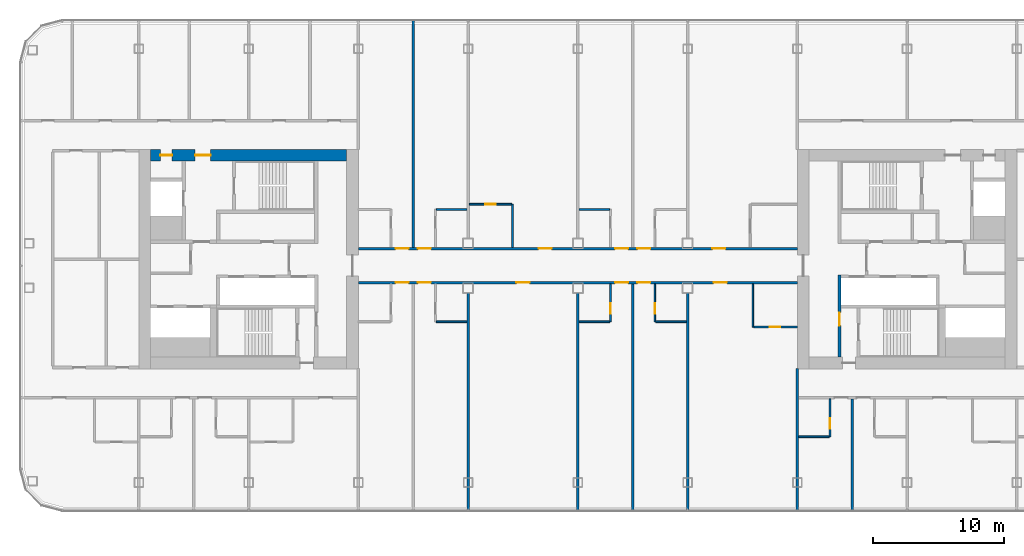
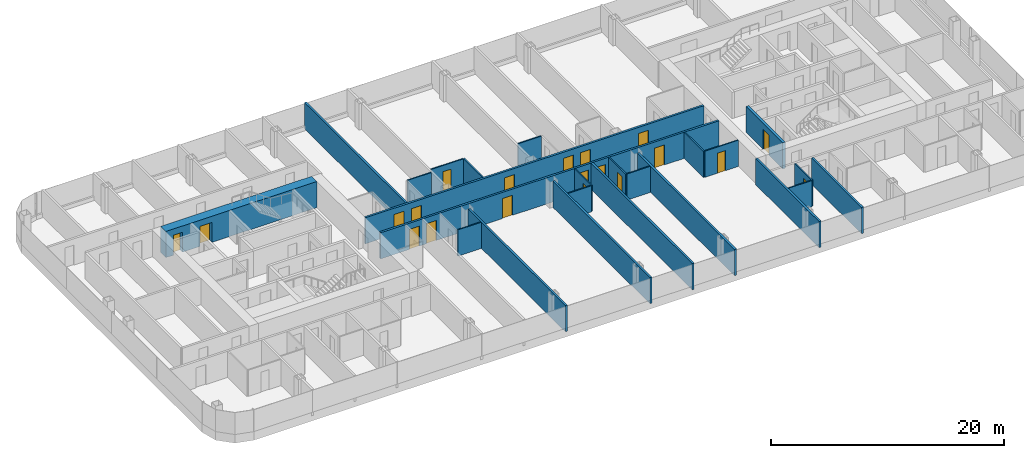
# One storey, part 14 of 26: 24 walls, 20 doors, 20 openings.
"""IFC4 building model written with IfcOpenShell, lengths in metres."""

from ifc_helpers import new_model, si_unit, direction, frame, frame_2d, origin, place, context, subcontext, project, spatial, rectangle, extrude, material, layer, layer_set, type_object, element, fill, save


model = new_model("IFC4")

# Units and contexts
model_context = context("Model", 3, precision=1e-05, world=origin(), true_north=direction((0.0, 1.0)))
body_context = subcontext(model_context, "Body", "Model", "MODEL_VIEW")
ifc_project = project(units=[si_unit("LENGTHUNIT", "METRE"), si_unit("AREAUNIT", "SQUARE_METRE"), si_unit("VOLUMEUNIT", "CUBIC_METRE"), si_unit("PLANEANGLEUNIT", "RADIAN"), si_unit("MASSUNIT", "GRAM", prefix="KILO")], contexts=[model_context])

# Site, building, storey
site_placement = place(None, origin())
site = spatial("IfcSite", under=ifc_project, at=site_placement, CompositionType="ELEMENT")
building_placement = place(site_placement, origin())
building = spatial("IfcBuilding", under=site, at=building_placement, Name="Hakoniwa Tower and Hamabe Station Hall", CompositionType="ELEMENT")
storey_placement = place(building_placement, frame((0.0, 0.0, 140.60009765625)))
storey = spatial("IfcBuildingStorey", under=building, at=storey_placement, Name="L39", CompositionType="ELEMENT", Elevation=140.60009765625)

# Wall
ifc_material_1 = material(Name="Gypsum board partition", Category="gypsum")
ifc_layer_1 = layer(ifc_material_1, 0.125)
ifc_layer_set_1 = layer_set([ifc_layer_1], Name="Bathroom Partition 125")
wall_type_1 = type_object("IfcWallType", Name="Bathroom Partition 125", PredefinedType="PARTITIONING", material=ifc_layer_set_1)
wall_1_placement = place(storey_placement, frame((16.89990234375, -13.60009765625, 0.0), z_axis=(0.0, 0.0, 1.0), x_axis=(1.0, 0.0, 0.0)))
element("IfcWall", 1, at=wall_1_placement, inside=storey, type_object=wall_type_1, Name="GW-L39-006", PredefinedType="PARTITIONING", context=body_context, shape_type="SweptSolid", body=[
    extrude(rectangle(XDim=2.337646484375, YDim=0.125, at=frame_2d((1.1689453125, 0.0))), origin(), (0.0, 0.0, 1.0), 2.75),
])

# Wall, opening, door
wall_2_placement = place(storey_placement, frame((13.46240234375, -5.199951171875, 0.0), z_axis=(0.0, 0.0, 1.0), x_axis=(1.0, 0.0, 0.0)))
wall_2 = element("IfcWall", 2, at=wall_2_placement, inside=storey, type_object=wall_type_1, Name="GW-L39-014", PredefinedType="PARTITIONING", context=body_context, shape_type="SweptSolid", body=[
    extrude(rectangle(XDim=3.34765625, YDim=0.125, at=frame_2d((1.673828125, 0.0))), origin(), (0.0, 0.0, 1.0), 2.75),
])
opening_1_placement = place(wall_2_placement, frame((1.237548828125, 0.0, 0.0)))
opening_1 = element("IfcOpeningElement", 3, at=opening_1_placement, cuts=wall_2, Name="Opening GD-G3D0-17", PredefinedType="OPENING", context=body_context, shape_type="SweptSolid", body=[
    extrude(rectangle(XDim=0.800048828125, YDim=2.10009765625, at=frame_2d((0.39990234375, 1.050048828125))), frame((0.0, 0.072509765625, 0.0), z_axis=(0.0, -1.0, 0.0), x_axis=(1.0, 0.0, 0.0)), (0.0, 0.0, 1.0), 0.14501953125),
])
ifc_material_2 = material(Name="Timber door leaf", Category="wood")
door_type_1 = type_object("IfcDoorType", Name="Bathroom Door 800", OperationType="SINGLE_SWING_LEFT", PredefinedType="DOOR", material=ifc_material_2)
door_1_placement = place(opening_1_placement, origin())
door_1 = element("IfcDoor", 4, at=door_1_placement, inside=storey, type_object=door_type_1, Name="Door GD-G3D0-17", OperationType="SINGLE_SWING_RIGHT", OverallHeight=2.10009765625, OverallWidth=0.800048828125, PredefinedType="DOOR", context=body_context, shape_type="SweptSolid", body=[
    extrude(rectangle(XDim=0.800048828125, YDim=2.10009765625, at=frame_2d((0.39990234375, 1.050048828125))), frame((0.0, 0.02490234375, 0.0), z_axis=(0.0, -1.0, 0.0), x_axis=(1.0, 0.0, 0.0)), (0.0, 0.0, 1.0), 0.050048828125),
])
fill(opening_1, door_1)

# Walls
for number, where, z_axis, x_axis, name in (
    (5, (-10.83740234375, -4.800048828125, 0.0), (0.0, 0.0, 1.0), (1.0, 0.0, 0.0), "GW-L39-016"),
    (6, (0.10009765625, -4.800048828125, 0.0), (0.0, 0.0, 1.0), (1.0, 0.0, 0.0), "GW-L39-017"),
):
    element("IfcWall", number, at=place(storey_placement, frame(where, z_axis=z_axis, x_axis=x_axis)), inside=storey, type_object=wall_type_1, Name=name, PredefinedType="PARTITIONING", context=body_context, shape_type="SweptSolid", body=[
        extrude(rectangle(XDim=2.33740234375, YDim=0.125, at=frame_2d((1.168701171875, 0.0))), origin(), (0.0, 0.0, 1.0), 2.75),
    ])
wall_3_placement = place(storey_placement, frame((5.96240234375, -4.800048828125, 0.0), z_axis=(0.0, 0.0, 1.0), x_axis=(1.0, 0.0, 0.0)))
element("IfcWall", 7, at=wall_3_placement, inside=storey, type_object=wall_type_1, Name="GW-L39-018", PredefinedType="PARTITIONING", context=body_context, shape_type="SweptSolid", body=[
    extrude(rectangle(XDim=2.337646484375, YDim=0.125, at=frame_2d((1.1689453125, 0.0))), origin(), (0.0, 0.0, 1.0), 2.75),
])
for number, where, z_axis, x_axis, name in (
    (8, (-10.83740234375, 3.800048828125, 0.0), (0.0, 0.0, 1.0), (1.0, 0.0, 0.0), "GW-L39-024"),
    (9, (0.10009765625, 3.800048828125, 0.0), (0.0, 0.0, 1.0), (1.0, 0.0, 0.0), "GW-L39-025"),
):
    element("IfcWall", number, at=place(storey_placement, frame(where, z_axis=z_axis, x_axis=x_axis)), inside=storey, type_object=wall_type_1, Name=name, PredefinedType="PARTITIONING", context=body_context, shape_type="SweptSolid", body=[
        extrude(rectangle(XDim=2.33740234375, YDim=0.125, at=frame_2d((1.168701171875, 0.0))), origin(), (0.0, 0.0, 1.0), 2.75),
    ])

# Wall, opening, door
wall_4_placement = place(storey_placement, frame((-8.300048828125, 4.199951171875, 0.0), z_axis=(0.0, 0.0, 1.0), x_axis=(1.0, 0.0, 0.0)))
wall_4 = element("IfcWall", 10, at=wall_4_placement, inside=storey, type_object=wall_type_1, Name="GW-L39-027", PredefinedType="PARTITIONING", context=body_context, shape_type="SweptSolid", body=[
    extrude(rectangle(XDim=3.237548828125, YDim=0.125, at=frame_2d((1.61865234375, 0.0))), origin(), (0.0, 0.0, 1.0), 2.75),
])
opening_2_placement = place(wall_4_placement, frame((1.199951171875, 0.0, 0.0)))
opening_2 = element("IfcOpeningElement", 11, at=opening_2_placement, cuts=wall_4, Name="Opening GD-G3D0-30", PredefinedType="OPENING", context=body_context, shape_type="SweptSolid", body=[
    extrude(rectangle(XDim=0.800048828125, YDim=2.10009765625, at=frame_2d((0.39990234375, 1.050048828125))), frame((0.0, 0.072509765625, 0.0), z_axis=(0.0, -1.0, 0.0), x_axis=(1.0, 0.0, 0.0)), (0.0, 0.0, 1.0), 0.14501953125),
])
door_2_placement = place(opening_2_placement, origin())
door_2 = element("IfcDoor", 12, at=door_2_placement, inside=storey, type_object=door_type_1, Name="Door GD-G3D0-30", OperationType="SINGLE_SWING_LEFT", OverallHeight=2.10009765625, OverallWidth=0.800048828125, PredefinedType="DOOR", context=body_context, shape_type="SweptSolid", body=[
    extrude(rectangle(XDim=0.800048828125, YDim=2.10009765625, at=frame_2d((0.39990234375, 1.050048828125))), frame((0.0, 0.02490234375, 0.0), z_axis=(0.0, -1.0, 0.0), x_axis=(1.0, 0.0, 0.0)), (0.0, 0.0, 1.0), 0.050048828125),
])
fill(opening_2, door_2)

# Wall
wall_5_placement = place(storey_placement, frame((-5.0, 0.89990234375, 0.0), z_axis=(0.0, 0.0, 1.0), x_axis=(0.0, 1.0, 0.0)))
element("IfcWall", 13, at=wall_5_placement, inside=storey, type_object=wall_type_1, Name="GW-L39-058", PredefinedType="PARTITIONING", context=body_context, shape_type="SweptSolid", body=[
    extrude(rectangle(XDim=3.300048828125, YDim=0.125, at=frame_2d((1.64990234375, 0.0))), origin(), (0.0, 0.0, 1.0), 2.75),
])

# Wall, opening, door
wall_6_placement = place(storey_placement, frame((2.5, -4.800048828125, 0.0), z_axis=(0.0, 0.0, 1.0), x_axis=(0.0, 1.0, 0.0)))
wall_6 = element("IfcWall", 14, at=wall_6_placement, inside=storey, type_object=wall_type_1, Name="GW-L39-061", PredefinedType="PARTITIONING", context=body_context, shape_type="SweptSolid", body=[
    extrude(rectangle(XDim=2.900146484375, YDim=0.125, at=frame_2d((1.4501953125, 0.0))), origin(), (0.0, 0.0, 1.0), 2.75),
])
opening_3_placement = place(wall_6_placement, frame((0.60009765625, 0.0, 0.0)))
opening_3 = element("IfcOpeningElement", 15, at=opening_3_placement, cuts=wall_6, Name="Opening GD-G3D0-50", PredefinedType="OPENING", context=body_context, shape_type="SweptSolid", body=[
    extrude(rectangle(XDim=0.800048828125, YDim=2.10009765625, at=frame_2d((0.39990234375, 1.050048828125))), frame((0.0, 0.072509765625, 0.0), z_axis=(0.0, -1.0, 0.0), x_axis=(1.0, 0.0, 0.0)), (0.0, 0.0, 1.0), 0.14501953125),
])
door_3_placement = place(opening_3_placement, origin())
door_3 = element("IfcDoor", 16, at=door_3_placement, inside=storey, type_object=door_type_1, Name="Door GD-G3D0-50", OperationType="SINGLE_SWING_RIGHT", OverallHeight=2.10009765625, OverallWidth=0.800048828125, PredefinedType="DOOR", context=body_context, shape_type="SweptSolid", body=[
    extrude(rectangle(XDim=0.800048828125, YDim=2.10009765625, at=frame_2d((0.39990234375, 1.050048828125))), frame((0.0, 0.02490234375, 0.0), z_axis=(0.0, -1.0, 0.0), x_axis=(1.0, 0.0, 0.0)), (0.0, 0.0, 1.0), 0.050048828125),
])
fill(opening_3, door_3)

wall_7_placement = place(storey_placement, frame((5.89990234375, -4.800048828125, 0.0), z_axis=(0.0, 0.0, 1.0), x_axis=(0.0, 1.0, 0.0)))
wall_7 = element("IfcWall", 17, at=wall_7_placement, inside=storey, type_object=wall_type_1, Name="GW-L39-065", PredefinedType="PARTITIONING", context=body_context, shape_type="SweptSolid", body=[
    extrude(rectangle(XDim=2.900146484375, YDim=0.125, at=frame_2d((1.4501953125, 0.0))), origin(), (0.0, 0.0, 1.0), 2.75),
])
opening_4_placement = place(wall_7_placement, frame((0.60009765625, 0.0, 0.0)))
opening_4 = element("IfcOpeningElement", 18, at=opening_4_placement, cuts=wall_7, Name="Opening GD-G3D0-52", PredefinedType="OPENING", context=body_context, shape_type="SweptSolid", body=[
    extrude(rectangle(XDim=0.800048828125, YDim=2.10009765625, at=frame_2d((0.39990234375, 1.050048828125))), frame((0.0, 0.072509765625, 0.0), z_axis=(0.0, -1.0, 0.0), x_axis=(1.0, 0.0, 0.0)), (0.0, 0.0, 1.0), 0.14501953125),
])
door_4_placement = place(opening_4_placement, origin())
door_4 = element("IfcDoor", 19, at=door_4_placement, inside=storey, type_object=door_type_1, Name="Door GD-G3D0-52", OperationType="SINGLE_SWING_LEFT", OverallHeight=2.10009765625, OverallWidth=0.800048828125, PredefinedType="DOOR", context=body_context, shape_type="SweptSolid", body=[
    extrude(rectangle(XDim=0.800048828125, YDim=2.10009765625, at=frame_2d((0.39990234375, 1.050048828125))), frame((0.0, 0.02490234375, 0.0), z_axis=(0.0, -1.0, 0.0), x_axis=(1.0, 0.0, 0.0)), (0.0, 0.0, 1.0), 0.050048828125),
])
fill(opening_4, door_4)

# Wall
wall_8_placement = place(storey_placement, frame((13.39990234375, -5.199951171875, 0.0), z_axis=(0.0, 0.0, 1.0), x_axis=(0.0, 1.0, 0.0)))
element("IfcWall", 20, at=wall_8_placement, inside=storey, type_object=wall_type_1, Name="GW-L39-070", PredefinedType="PARTITIONING", context=body_context, shape_type="SweptSolid", body=[
    extrude(rectangle(XDim=3.300048828125, YDim=0.125, at=frame_2d((1.64990234375, 0.0))), origin(), (0.0, 0.0, 1.0), 2.75),
])

# Wall, opening, door
wall_9_placement = place(storey_placement, frame((19.300048828125, -13.60009765625, 0.0), z_axis=(0.0, 0.0, 1.0), x_axis=(0.0, 1.0, 0.0)))
wall_9 = element("IfcWall", 21, at=wall_9_placement, inside=storey, type_object=wall_type_1, Name="GW-L39-073", PredefinedType="PARTITIONING", context=body_context, shape_type="SweptSolid", body=[
    extrude(rectangle(XDim=2.900146484375, YDim=0.125, at=frame_2d((1.4501953125, 0.0))), origin(), (0.0, 0.0, 1.0), 2.75),
])
opening_5_placement = place(wall_9_placement, frame((0.60009765625, 0.0, 0.0)))
opening_5 = element("IfcOpeningElement", 22, at=opening_5_placement, cuts=wall_9, Name="Opening GD-G3D0-55", PredefinedType="OPENING", context=body_context, shape_type="SweptSolid", body=[
    extrude(rectangle(XDim=0.800048828125, YDim=2.10009765625, at=frame_2d((0.39990234375, 1.050048828125))), frame((0.0, 0.072509765625, 0.0), z_axis=(0.0, -1.0, 0.0), x_axis=(1.0, 0.0, 0.0)), (0.0, 0.0, 1.0), 0.14501953125),
])
door_5_placement = place(opening_5_placement, origin())
door_5 = element("IfcDoor", 23, at=door_5_placement, inside=storey, type_object=door_type_1, Name="Door GD-G3D0-55", OperationType="SINGLE_SWING_RIGHT", OverallHeight=2.10009765625, OverallWidth=0.800048828125, PredefinedType="DOOR", context=body_context, shape_type="SweptSolid", body=[
    extrude(rectangle(XDim=0.800048828125, YDim=2.10009765625, at=frame_2d((0.39990234375, 1.050048828125))), frame((0.0, 0.02490234375, 0.0), z_axis=(0.0, -1.0, 0.0), x_axis=(1.0, 0.0, 0.0)), (0.0, 0.0, 1.0), 0.050048828125),
])
fill(opening_5, door_5)

# Wall, openings, doors
ifc_material_3 = material(Name="Concrete C66", Category="concrete")
ifc_layer_2 = layer(ifc_material_3, 0.89990234375)
ifc_layer_set_2 = layer_set([ifc_layer_2], Name="CORE WALL 900 C66")
wall_type_2 = type_object("IfcWallType", Name="CORE WALL 900 C66", PredefinedType="SHEAR", material=ifc_layer_set_2)
wall_10_placement = place(storey_placement, frame((-32.699951171875, 7.949951171875, 0.0), z_axis=(0.0, 0.0, 1.0), x_axis=(1.0, 0.0, 0.0)))
wall_10 = element("IfcWall", 24, at=wall_10_placement, inside=storey, type_object=wall_type_2, Name="Core wall NORTH west", PredefinedType="SHEAR", context=body_context, shape_type="SweptSolid", body=[
    extrude(rectangle(XDim=15.0, YDim=0.89990234375, at=frame_2d((7.5, 0.0))), origin(), (0.0, 0.0, 1.0), 2.75),
])
opening_6_placement = place(wall_10_placement, frame((3.39990234375, 0.0, 0.0)))
opening_6 = element("IfcOpeningElement", 25, at=opening_6_placement, cuts=wall_10, Name="Opening CD-W-FN1-12", PredefinedType="OPENING", context=body_context, shape_type="SweptSolid", body=[
    extrude(rectangle(XDim=1.199951171875, YDim=2.10009765625, at=frame_2d((0.60009765625, 1.050048828125))), frame((0.0, 0.4599609375, 0.0), z_axis=(0.0, -1.0, 0.0), x_axis=(1.0, 0.0, 0.0)), (0.0, 0.0, 1.0), 0.919921875),
])
opening_7_placement = place(wall_10_placement, frame((0.75, 0.0, 0.0)))
opening_7 = element("IfcOpeningElement", 26, at=opening_7_placement, cuts=wall_10, Name="Opening CD-W-FN2-9", PredefinedType="OPENING", context=body_context, shape_type="SweptSolid", body=[
    extrude(rectangle(XDim=0.89990234375, YDim=2.10009765625, at=frame_2d((0.449951171875, 1.050048828125))), frame((0.0, 0.4599609375, 0.0), z_axis=(0.0, -1.0, 0.0), x_axis=(1.0, 0.0, 0.0)), (0.0, 0.0, 1.0), 0.919921875),
])
ifc_material_4 = material(Name="Steel fire door", Category="steel")
door_type_2 = type_object("IfcDoorType", Name="CORE DOOR 1200 FD60", OperationType="DOUBLE_DOOR_SINGLE_SWING", PredefinedType="DOOR", material=ifc_material_4)
door_6_placement = place(opening_6_placement, origin())
door_6 = element("IfcDoor", 27, at=door_6_placement, inside=storey, type_object=door_type_2, Name="Stair vestibule door to the fire-fighting lobby", OperationType="DOUBLE_DOOR_SINGLE_SWING", OverallHeight=2.10009765625, OverallWidth=1.199951171875, PredefinedType="DOOR", context=body_context, shape_type="SweptSolid", body=[
    extrude(rectangle(XDim=1.199951171875, YDim=2.10009765625, at=frame_2d((0.60009765625, 1.050048828125))), frame((0.0, 0.02490234375, 0.0), z_axis=(0.0, -1.0, 0.0), x_axis=(1.0, 0.0, 0.0)), (0.0, 0.0, 1.0), 0.050048828125),
])
fill(opening_6, door_6)
ifc_material_5 = material(Name="Steel fire door", Category="steel")
door_type_3 = type_object("IfcDoorType", Name="CORE DOOR 900 FD30", OperationType="NOTDEFINED", PredefinedType="DOOR", material=ifc_material_5)
door_7_placement = place(opening_7_placement, origin())
door_7 = element("IfcDoor", 28, at=door_7_placement, inside=storey, type_object=door_type_3, Name="Riser access door", OperationType="SINGLE_SWING_RIGHT", OverallHeight=2.10009765625, OverallWidth=0.89990234375, PredefinedType="DOOR", context=body_context, shape_type="SweptSolid", body=[
    extrude(rectangle(XDim=0.89990234375, YDim=2.10009765625, at=frame_2d((0.449951171875, 1.050048828125))), frame((0.0, 0.02490234375, 0.0), z_axis=(0.0, -1.0, 0.0), x_axis=(1.0, 0.0, 0.0)), (0.0, 0.0, 1.0), 0.050048828125),
])
fill(opening_7, door_7)

# Wall, opening, door
ifc_material_6 = material(Name="Concrete C66", Category="concrete")
ifc_layer_3 = layer(ifc_material_6, 0.25)
ifc_layer_set_3 = layer_set([ifc_layer_3], Name="CORE WEB WALL 250 C66")
wall_type_3 = type_object("IfcWallType", Name="CORE WEB WALL 250 C66", PredefinedType="SHEAR", material=ifc_layer_set_3)
wall_11_placement = place(storey_placement, frame((20.02490234375, -7.5, 0.0), z_axis=(0.0, 0.0, 1.0), x_axis=(0.0, 1.0, 0.0)))
wall_11 = element("IfcWall", 29, at=wall_11_placement, inside=storey, type_object=wall_type_3, Name="Core wall W1S east", PredefinedType="SHEAR", context=body_context, shape_type="SweptSolid", body=[
    extrude(rectangle(XDim=6.300048828125, YDim=0.25, at=frame_2d((3.14990234375, 0.0))), origin(), (0.0, 0.0, 1.0), 2.75),
])
opening_8_placement = place(wall_11_placement, frame((2.39990234375, 0.0, 0.0)))
opening_8 = element("IfcOpeningElement", 30, at=opening_8_placement, cuts=wall_11, Name="Opening CD-E-VS-10", PredefinedType="OPENING", context=body_context, shape_type="SweptSolid", body=[
    extrude(rectangle(XDim=1.0, YDim=2.10009765625, at=frame_2d((0.5, 1.050048828125))), frame((0.0, 0.135009765625, 0.0), z_axis=(0.0, -1.0, 0.0), x_axis=(1.0, 0.0, 0.0)), (0.0, 0.0, 1.0), 0.27001953125),
])
ifc_material_7 = material(Name="Steel fire door", Category="steel")
door_type_4 = type_object("IfcDoorType", Name="CORE DOOR 1000 FD60", OperationType="NOTDEFINED", PredefinedType="DOOR", material=ifc_material_7)
door_8_placement = place(opening_8_placement, origin())
door_8 = element("IfcDoor", 31, at=door_8_placement, inside=storey, type_object=door_type_4, Name="Stair vestibule door", OperationType="SINGLE_SWING_RIGHT", OverallHeight=2.10009765625, OverallWidth=1.0, PredefinedType="DOOR", context=body_context, shape_type="SweptSolid", body=[
    extrude(rectangle(XDim=1.0, YDim=2.10009765625, at=frame_2d((0.5, 1.050048828125))), frame((0.0, 0.02490234375, 0.0), z_axis=(0.0, -1.0, 0.0), x_axis=(1.0, 0.0, 0.0)), (0.0, 0.0, 1.0), 0.050048828125),
])
fill(opening_8, door_8)

# Wall, openings, doors
ifc_material_8 = material(Name="Fire-rated gypsum board partition", Category="gypsum")
ifc_layer_4 = layer(ifc_material_8, 0.199951171875)
ifc_layer_set_4 = layer_set([ifc_layer_4], Name="Corridor Wall 200")
wall_type_4 = type_object("IfcWallType", Name="Corridor Wall 200", PredefinedType="PARTITIONING", material=ifc_layer_set_4)
wall_12_placement = place(storey_placement, frame((-16.800048828125, -1.800048828125, 0.0), z_axis=(0.0, 0.0, 1.0), x_axis=(1.0, 0.0, 0.0)))
wall_12 = element("IfcWall", 32, at=wall_12_placement, inside=storey, type_object=wall_type_4, Name="GW-L39-019", PredefinedType="PARTITIONING", context=body_context, shape_type="SweptSolid", body=[
    extrude(rectangle(XDim=33.60009765625, YDim=0.199951171875, at=frame_2d((16.800048828125, 0.0))), origin(), (0.0, 0.0, 1.0), 2.75),
])
opening_9_placement = place(wall_12_placement, frame((2.85009765625, 0.0, 0.0)))
opening_9 = element("IfcOpeningElement", 33, at=opening_9_placement, cuts=wall_12, Name="Opening GD-G3D0-18", PredefinedType="OPENING", context=body_context, shape_type="SweptSolid", body=[
    extrude(rectangle(XDim=1.0, YDim=2.10009765625, at=frame_2d((0.5, 1.050048828125))), frame((0.0, 0.10986328125, 0.0), z_axis=(0.0, -1.0, 0.0), x_axis=(1.0, 0.0, 0.0)), (0.0, 0.0, 1.0), 0.219970703125),
])
opening_10_placement = place(wall_12_placement, frame((4.550048828125, 0.0, 0.0)))
opening_10 = element("IfcOpeningElement", 34, at=opening_10_placement, cuts=wall_12, Name="Opening GD-G3D0-19", PredefinedType="OPENING", context=body_context, shape_type="SweptSolid", body=[
    extrude(rectangle(XDim=1.0, YDim=2.10009765625, at=frame_2d((0.5, 1.050048828125))), frame((0.0, 0.10986328125, 0.0), z_axis=(0.0, -1.0, 0.0), x_axis=(1.0, 0.0, 0.0)), (0.0, 0.0, 1.0), 0.219970703125),
])
opening_11_placement = place(wall_12_placement, frame((12.10009765625, 0.0, 0.0)))
opening_11 = element("IfcOpeningElement", 35, at=opening_11_placement, cuts=wall_12, Name="Opening GD-G3D0-20", PredefinedType="OPENING", context=body_context, shape_type="SweptSolid", body=[
    extrude(rectangle(XDim=1.0, YDim=2.10009765625, at=frame_2d((0.5, 1.050048828125))), frame((0.0, 0.10986328125, 0.0), z_axis=(0.0, -1.0, 0.0), x_axis=(1.0, 0.0, 0.0)), (0.0, 0.0, 1.0), 0.219970703125),
])
opening_12_placement = place(wall_12_placement, frame((19.64990234375, 0.0, 0.0)))
opening_12 = element("IfcOpeningElement", 36, at=opening_12_placement, cuts=wall_12, Name="Opening GD-G3D0-21", PredefinedType="OPENING", context=body_context, shape_type="SweptSolid", body=[
    extrude(rectangle(XDim=1.0, YDim=2.10009765625, at=frame_2d((0.5, 1.050048828125))), frame((0.0, 0.10986328125, 0.0), z_axis=(0.0, -1.0, 0.0), x_axis=(1.0, 0.0, 0.0)), (0.0, 0.0, 1.0), 0.219970703125),
])
opening_13_placement = place(wall_12_placement, frame((21.35009765625, 0.0, 0.0)))
opening_13 = element("IfcOpeningElement", 37, at=opening_13_placement, cuts=wall_12, Name="Opening GD-G3D0-22", PredefinedType="OPENING", context=body_context, shape_type="SweptSolid", body=[
    extrude(rectangle(XDim=1.0, YDim=2.10009765625, at=frame_2d((0.5, 1.050048828125))), frame((0.0, 0.10986328125, 0.0), z_axis=(0.0, -1.0, 0.0), x_axis=(1.0, 0.0, 0.0)), (0.0, 0.0, 1.0), 0.219970703125),
])
opening_14_placement = place(wall_12_placement, frame((27.199951171875, 0.0, 0.0)))
opening_14 = element("IfcOpeningElement", 38, at=opening_14_placement, cuts=wall_12, Name="Opening GD-G3D0-23", PredefinedType="OPENING", context=body_context, shape_type="SweptSolid", body=[
    extrude(rectangle(XDim=1.0, YDim=2.10009765625, at=frame_2d((0.5, 1.050048828125))), frame((0.0, 0.10986328125, 0.0), z_axis=(0.0, -1.0, 0.0), x_axis=(1.0, 0.0, 0.0)), (0.0, 0.0, 1.0), 0.219970703125),
])
ifc_material_9 = material(Name="Timber door leaf", Category="wood")
door_type_5 = type_object("IfcDoorType", Name="Guest Entrance Door 1000", OperationType="SINGLE_SWING_LEFT", PredefinedType="DOOR", material=ifc_material_9)
door_9_placement = place(opening_9_placement, origin())
door_9 = element("IfcDoor", 39, at=door_9_placement, inside=storey, type_object=door_type_5, Name="Door GD-G3D0-18", OperationType="SINGLE_SWING_LEFT", OverallHeight=2.10009765625, OverallWidth=1.0, PredefinedType="DOOR", context=body_context, shape_type="SweptSolid", body=[
    extrude(rectangle(XDim=1.0, YDim=2.10009765625, at=frame_2d((0.5, 1.050048828125))), frame((0.0, 0.02490234375, 0.0), z_axis=(0.0, -1.0, 0.0), x_axis=(1.0, 0.0, 0.0)), (0.0, 0.0, 1.0), 0.050048828125),
])
fill(opening_9, door_9)
door_10_placement = place(opening_10_placement, origin())
door_10 = element("IfcDoor", 40, at=door_10_placement, inside=storey, type_object=door_type_5, Name="Door GD-G3D0-19", OperationType="SINGLE_SWING_RIGHT", OverallHeight=2.10009765625, OverallWidth=1.0, PredefinedType="DOOR", context=body_context, shape_type="SweptSolid", body=[
    extrude(rectangle(XDim=1.0, YDim=2.10009765625, at=frame_2d((0.5, 1.050048828125))), frame((0.0, 0.02490234375, 0.0), z_axis=(0.0, -1.0, 0.0), x_axis=(1.0, 0.0, 0.0)), (0.0, 0.0, 1.0), 0.050048828125),
])
fill(opening_10, door_10)
door_11_placement = place(opening_11_placement, origin())
door_11 = element("IfcDoor", 41, at=door_11_placement, inside=storey, type_object=door_type_5, Name="Door GD-G3D0-20", OperationType="SINGLE_SWING_RIGHT", OverallHeight=2.10009765625, OverallWidth=1.0, PredefinedType="DOOR", context=body_context, shape_type="SweptSolid", body=[
    extrude(rectangle(XDim=1.0, YDim=2.10009765625, at=frame_2d((0.5, 1.050048828125))), frame((0.0, 0.02490234375, 0.0), z_axis=(0.0, -1.0, 0.0), x_axis=(1.0, 0.0, 0.0)), (0.0, 0.0, 1.0), 0.050048828125),
])
fill(opening_11, door_11)
door_12_placement = place(opening_12_placement, origin())
door_12 = element("IfcDoor", 42, at=door_12_placement, inside=storey, type_object=door_type_5, Name="Door GD-G3D0-21", OperationType="SINGLE_SWING_LEFT", OverallHeight=2.10009765625, OverallWidth=1.0, PredefinedType="DOOR", context=body_context, shape_type="SweptSolid", body=[
    extrude(rectangle(XDim=1.0, YDim=2.10009765625, at=frame_2d((0.5, 1.050048828125))), frame((0.0, 0.02490234375, 0.0), z_axis=(0.0, -1.0, 0.0), x_axis=(1.0, 0.0, 0.0)), (0.0, 0.0, 1.0), 0.050048828125),
])
fill(opening_12, door_12)
door_13_placement = place(opening_13_placement, origin())
door_13 = element("IfcDoor", 43, at=door_13_placement, inside=storey, type_object=door_type_5, Name="Door GD-G3D0-22", OperationType="SINGLE_SWING_RIGHT", OverallHeight=2.10009765625, OverallWidth=1.0, PredefinedType="DOOR", context=body_context, shape_type="SweptSolid", body=[
    extrude(rectangle(XDim=1.0, YDim=2.10009765625, at=frame_2d((0.5, 1.050048828125))), frame((0.0, 0.02490234375, 0.0), z_axis=(0.0, -1.0, 0.0), x_axis=(1.0, 0.0, 0.0)), (0.0, 0.0, 1.0), 0.050048828125),
])
fill(opening_13, door_13)
door_14_placement = place(opening_14_placement, origin())
door_14 = element("IfcDoor", 44, at=door_14_placement, inside=storey, type_object=door_type_5, Name="Door GD-G3D0-23", OperationType="SINGLE_SWING_LEFT", OverallHeight=2.10009765625, OverallWidth=1.0, PredefinedType="DOOR", context=body_context, shape_type="SweptSolid", body=[
    extrude(rectangle(XDim=1.0, YDim=2.10009765625, at=frame_2d((0.5, 1.050048828125))), frame((0.0, 0.02490234375, 0.0), z_axis=(0.0, -1.0, 0.0), x_axis=(1.0, 0.0, 0.0)), (0.0, 0.0, 1.0), 0.050048828125),
])
fill(opening_14, door_14)

wall_13_placement = place(storey_placement, frame((-16.800048828125, 0.800048828125, 0.0), z_axis=(0.0, 0.0, 1.0), x_axis=(1.0, 0.0, 0.0)))
wall_13 = element("IfcWall", 45, at=wall_13_placement, inside=storey, type_object=wall_type_4, Name="GW-L39-022", PredefinedType="PARTITIONING", context=body_context, shape_type="SweptSolid", body=[
    extrude(rectangle(XDim=33.60009765625, YDim=0.199951171875, at=frame_2d((16.800048828125, 0.0))), origin(), (0.0, 0.0, 1.0), 2.75),
])
opening_15_placement = place(wall_13_placement, frame((2.85009765625, 0.0, 0.0)))
opening_15 = element("IfcOpeningElement", 46, at=opening_15_placement, cuts=wall_13, Name="Opening GD-G3D0-24", PredefinedType="OPENING", context=body_context, shape_type="SweptSolid", body=[
    extrude(rectangle(XDim=1.0, YDim=2.10009765625, at=frame_2d((0.5, 1.050048828125))), frame((0.0, 0.10986328125, 0.0), z_axis=(0.0, -1.0, 0.0), x_axis=(1.0, 0.0, 0.0)), (0.0, 0.0, 1.0), 0.219970703125),
])
opening_16_placement = place(wall_13_placement, frame((4.550048828125, 0.0, 0.0)))
opening_16 = element("IfcOpeningElement", 47, at=opening_16_placement, cuts=wall_13, Name="Opening GD-G3D0-25", PredefinedType="OPENING", context=body_context, shape_type="SweptSolid", body=[
    extrude(rectangle(XDim=1.0, YDim=2.10009765625, at=frame_2d((0.5, 1.050048828125))), frame((0.0, 0.10986328125, 0.0), z_axis=(0.0, -1.0, 0.0), x_axis=(1.0, 0.0, 0.0)), (0.0, 0.0, 1.0), 0.219970703125),
])
opening_17_placement = place(wall_13_placement, frame((13.800048828125, 0.0, 0.0)))
opening_17 = element("IfcOpeningElement", 48, at=opening_17_placement, cuts=wall_13, Name="Opening GD-G3D0-26", PredefinedType="OPENING", context=body_context, shape_type="SweptSolid", body=[
    extrude(rectangle(XDim=1.0, YDim=2.10009765625, at=frame_2d((0.5, 1.050048828125))), frame((0.0, 0.10986328125, 0.0), z_axis=(0.0, -1.0, 0.0), x_axis=(1.0, 0.0, 0.0)), (0.0, 0.0, 1.0), 0.219970703125),
])
opening_18_placement = place(wall_13_placement, frame((19.64990234375, 0.0, 0.0)))
opening_18 = element("IfcOpeningElement", 49, at=opening_18_placement, cuts=wall_13, Name="Opening GD-G3D0-27", PredefinedType="OPENING", context=body_context, shape_type="SweptSolid", body=[
    extrude(rectangle(XDim=1.0, YDim=2.10009765625, at=frame_2d((0.5, 1.050048828125))), frame((0.0, 0.10986328125, 0.0), z_axis=(0.0, -1.0, 0.0), x_axis=(1.0, 0.0, 0.0)), (0.0, 0.0, 1.0), 0.219970703125),
])
opening_19_placement = place(wall_13_placement, frame((21.35009765625, 0.0, 0.0)))
opening_19 = element("IfcOpeningElement", 50, at=opening_19_placement, cuts=wall_13, Name="Opening GD-G3D0-28", PredefinedType="OPENING", context=body_context, shape_type="SweptSolid", body=[
    extrude(rectangle(XDim=1.0, YDim=2.10009765625, at=frame_2d((0.5, 1.050048828125))), frame((0.0, 0.10986328125, 0.0), z_axis=(0.0, -1.0, 0.0), x_axis=(1.0, 0.0, 0.0)), (0.0, 0.0, 1.0), 0.219970703125),
])
opening_20_placement = place(wall_13_placement, frame((27.10009765625, 0.0, 0.0)))
opening_20 = element("IfcOpeningElement", 51, at=opening_20_placement, cuts=wall_13, Name="Opening GD-G3D0-29", PredefinedType="OPENING", context=body_context, shape_type="SweptSolid", body=[
    extrude(rectangle(XDim=1.0, YDim=2.10009765625, at=frame_2d((0.5, 1.050048828125))), frame((0.0, 0.10986328125, 0.0), z_axis=(0.0, -1.0, 0.0), x_axis=(1.0, 0.0, 0.0)), (0.0, 0.0, 1.0), 0.219970703125),
])
ifc_material_10 = material(Name="Timber door leaf", Category="wood")
door_type_6 = type_object("IfcDoorType", Name="Accessible Guest Entrance Door 1000", OperationType="SINGLE_SWING_LEFT", PredefinedType="DOOR", material=ifc_material_10)
door_15_placement = place(opening_20_placement, origin())
door_15 = element("IfcDoor", 52, at=door_15_placement, inside=storey, type_object=door_type_6, Name="Door GD-G3D0-29", OperationType="SINGLE_SWING_RIGHT", OverallHeight=2.10009765625, OverallWidth=1.0, PredefinedType="DOOR", context=body_context, shape_type="SweptSolid", body=[
    extrude(rectangle(XDim=1.0, YDim=2.10009765625, at=frame_2d((0.5, 1.050048828125))), frame((0.0, 0.02490234375, 0.0), z_axis=(0.0, -1.0, 0.0), x_axis=(1.0, 0.0, 0.0)), (0.0, 0.0, 1.0), 0.050048828125),
])
fill(opening_20, door_15)
door_16_placement = place(opening_15_placement, origin())
door_16 = element("IfcDoor", 53, at=door_16_placement, inside=storey, type_object=door_type_5, Name="Door GD-G3D0-24", OperationType="SINGLE_SWING_LEFT", OverallHeight=2.10009765625, OverallWidth=1.0, PredefinedType="DOOR", context=body_context, shape_type="SweptSolid", body=[
    extrude(rectangle(XDim=1.0, YDim=2.10009765625, at=frame_2d((0.5, 1.050048828125))), frame((0.0, 0.02490234375, 0.0), z_axis=(0.0, -1.0, 0.0), x_axis=(1.0, 0.0, 0.0)), (0.0, 0.0, 1.0), 0.050048828125),
])
fill(opening_15, door_16)
door_17_placement = place(opening_16_placement, origin())
door_17 = element("IfcDoor", 54, at=door_17_placement, inside=storey, type_object=door_type_5, Name="Door GD-G3D0-25", OperationType="SINGLE_SWING_RIGHT", OverallHeight=2.10009765625, OverallWidth=1.0, PredefinedType="DOOR", context=body_context, shape_type="SweptSolid", body=[
    extrude(rectangle(XDim=1.0, YDim=2.10009765625, at=frame_2d((0.5, 1.050048828125))), frame((0.0, 0.02490234375, 0.0), z_axis=(0.0, -1.0, 0.0), x_axis=(1.0, 0.0, 0.0)), (0.0, 0.0, 1.0), 0.050048828125),
])
fill(opening_16, door_17)
door_18_placement = place(opening_17_placement, origin())
door_18 = element("IfcDoor", 55, at=door_18_placement, inside=storey, type_object=door_type_5, Name="Door GD-G3D0-26", OperationType="SINGLE_SWING_LEFT", OverallHeight=2.10009765625, OverallWidth=1.0, PredefinedType="DOOR", context=body_context, shape_type="SweptSolid", body=[
    extrude(rectangle(XDim=1.0, YDim=2.10009765625, at=frame_2d((0.5, 1.050048828125))), frame((0.0, 0.02490234375, 0.0), z_axis=(0.0, -1.0, 0.0), x_axis=(1.0, 0.0, 0.0)), (0.0, 0.0, 1.0), 0.050048828125),
])
fill(opening_17, door_18)
door_19_placement = place(opening_18_placement, origin())
door_19 = element("IfcDoor", 56, at=door_19_placement, inside=storey, type_object=door_type_5, Name="Door GD-G3D0-27", OperationType="SINGLE_SWING_RIGHT", OverallHeight=2.10009765625, OverallWidth=1.0, PredefinedType="DOOR", context=body_context, shape_type="SweptSolid", body=[
    extrude(rectangle(XDim=1.0, YDim=2.10009765625, at=frame_2d((0.5, 1.050048828125))), frame((0.0, 0.02490234375, 0.0), z_axis=(0.0, -1.0, 0.0), x_axis=(1.0, 0.0, 0.0)), (0.0, 0.0, 1.0), 0.050048828125),
])
fill(opening_18, door_19)
door_20_placement = place(opening_19_placement, origin())
door_20 = element("IfcDoor", 57, at=door_20_placement, inside=storey, type_object=door_type_5, Name="Door GD-G3D0-28", OperationType="SINGLE_SWING_LEFT", OverallHeight=2.10009765625, OverallWidth=1.0, PredefinedType="DOOR", context=body_context, shape_type="SweptSolid", body=[
    extrude(rectangle(XDim=1.0, YDim=2.10009765625, at=frame_2d((0.5, 1.050048828125))), frame((0.0, 0.02490234375, 0.0), z_axis=(0.0, -1.0, 0.0), x_axis=(1.0, 0.0, 0.0)), (0.0, 0.0, 1.0), 0.050048828125),
])
fill(opening_19, door_20)

# Walls
ifc_material_11 = material(Name="Fire-rated gypsum board partition", Category="gypsum")
ifc_layer_5 = layer(ifc_material_11, 0.199951171875)
ifc_layer_set_5 = layer_set([ifc_layer_5], Name="Party Wall 200")
wall_type_5 = type_object("IfcWallType", Name="Party Wall 200", PredefinedType="PARTITIONING", material=ifc_layer_set_5)
wall_14_placement = place(storey_placement, frame((-12.60009765625, 0.89990234375, 0.0), z_axis=(0.0, 0.0, 1.0), x_axis=(0.0, 1.0, 0.0)))
element("IfcWall", 58, at=wall_14_placement, inside=storey, type_object=wall_type_5, Name="GW-L39-053", PredefinedType="PARTITIONING", context=body_context, shape_type="SweptSolid", body=[
    extrude(rectangle(XDim=17.400146484375, YDim=0.199951171875, at=frame_2d((8.7001953125, 0.0))), origin(), (0.0, 0.0, 1.0), 2.75),
])
for number, where, z_axis, x_axis, name in (
    (59, (-8.39990234375, -19.300048828125, 0.0), (0.0, 0.0, 1.0), (0.0, 1.0, 0.0), "GW-L39-056"),
    (60, (0.0, -19.300048828125, 0.0), (0.0, 0.0, 1.0), (0.0, 1.0, 0.0), "GW-L39-059"),
):
    element("IfcWall", number, at=place(storey_placement, frame(where, z_axis=z_axis, x_axis=x_axis)), inside=storey, type_object=wall_type_5, Name=name, PredefinedType="PARTITIONING", context=body_context, shape_type="SweptSolid", body=[
        extrude(rectangle(XDim=16.7099609375, YDim=0.199951171875, at=frame_2d((8.35498046875, 0.0))), origin(), (0.0, 0.0, 1.0), 2.75),
    ])
wall_15_placement = place(storey_placement, frame((4.199951171875, -19.300048828125, 0.0), z_axis=(0.0, 0.0, 1.0), x_axis=(0.0, 1.0, 0.0)))
element("IfcWall", 61, at=wall_15_placement, inside=storey, type_object=wall_type_5, Name="GW-L39-063", PredefinedType="PARTITIONING", context=body_context, shape_type="SweptSolid", body=[
    extrude(rectangle(XDim=17.400146484375, YDim=0.199951171875, at=frame_2d((8.7001953125, 0.0))), origin(), (0.0, 0.0, 1.0), 2.75),
])
wall_16_placement = place(storey_placement, frame((8.39990234375, -19.300048828125, 0.0), z_axis=(0.0, 0.0, 1.0), x_axis=(0.0, 1.0, 0.0)))
element("IfcWall", 62, at=wall_16_placement, inside=storey, type_object=wall_type_5, Name="GW-L39-067", PredefinedType="PARTITIONING", context=body_context, shape_type="SweptSolid", body=[
    extrude(rectangle(XDim=16.7099609375, YDim=0.199951171875, at=frame_2d((8.35498046875, 0.0))), origin(), (0.0, 0.0, 1.0), 2.75),
])
wall_17_placement = place(storey_placement, frame((16.800048828125, -19.300048828125, 0.0), z_axis=(0.0, 0.0, 1.0), x_axis=(0.0, 1.0, 0.0)))
element("IfcWall", 63, at=wall_17_placement, inside=storey, type_object=wall_type_5, Name="GW-L39-071", PredefinedType="PARTITIONING", context=body_context, shape_type="SweptSolid", body=[
    extrude(rectangle(XDim=10.91015625, YDim=0.199951171875, at=frame_2d((5.455078125, 0.0))), origin(), (0.0, 0.0, 1.0), 2.75),
])
wall_18_placement = place(storey_placement, frame((21.0, -19.300048828125, 0.0), z_axis=(0.0, 0.0, 1.0), x_axis=(0.0, 1.0, 0.0)))
element("IfcWall", 64, at=wall_18_placement, inside=storey, type_object=wall_type_5, Name="GW-L39-074", PredefinedType="PARTITIONING", context=body_context, shape_type="SweptSolid", body=[
    extrude(rectangle(XDim=8.60009765625, YDim=0.199951171875, at=frame_2d((4.300048828125, 0.0))), origin(), (0.0, 0.0, 1.0), 2.75),
])

save(model, "model.ifc")
